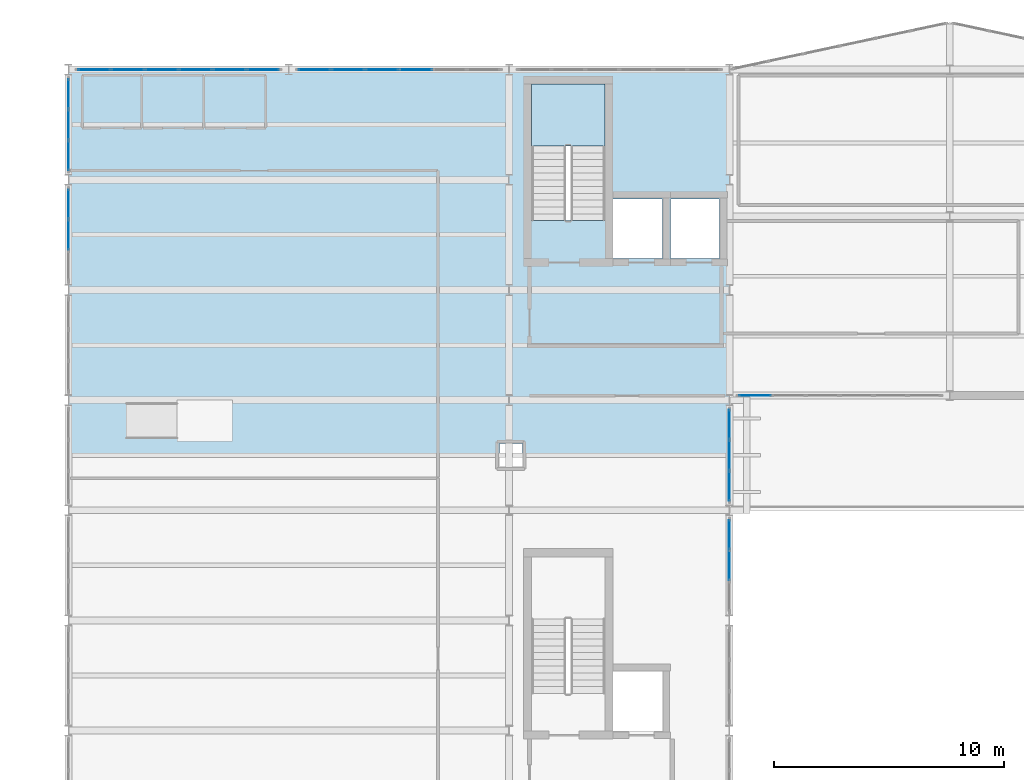
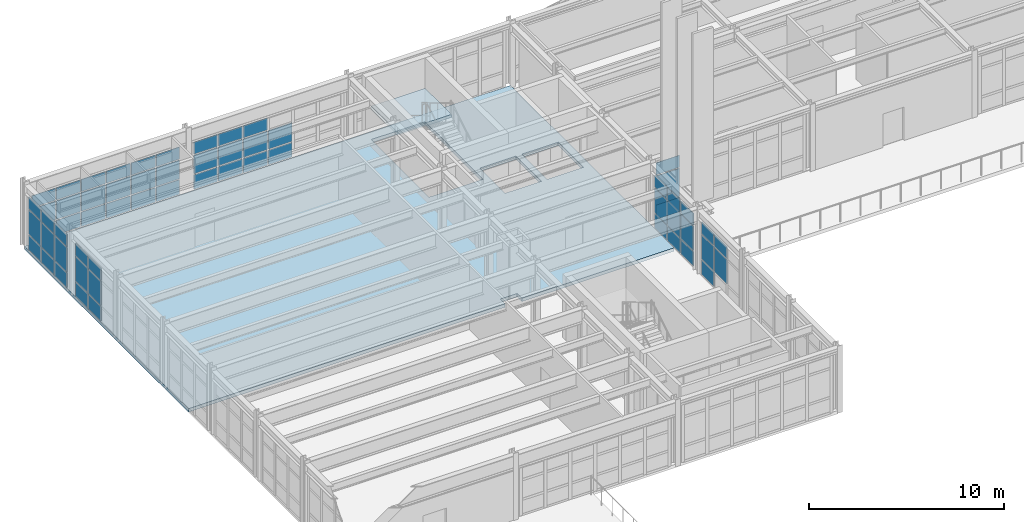
# One storey, part 33 of 47: 61 plates, 2 slabs, 8 elements without a shape of their own.
"""IFC4 building model written with IfcOpenShell, lengths in metres."""

from ifc_helpers import new_model, si_unit, direction, frame, origin, origin_2d, place, context, subcontext, project, spatial, polyline, rectangle, outline, extrude, material, layer, layer_set, type_object, element, aggregate, save


model = new_model("IFC4")

# Units and contexts
model_context = context("Model", 3, precision=1e-05, world=origin(), true_north=direction((0.0, 1.0)))
body_context = subcontext(model_context, "Body", "Model", "MODEL_VIEW")
ifc_project = project(units=[si_unit("LENGTHUNIT", "METRE"), si_unit("AREAUNIT", "SQUARE_METRE"), si_unit("VOLUMEUNIT", "CUBIC_METRE"), si_unit("PLANEANGLEUNIT", "RADIAN"), si_unit("MASSUNIT", "GRAM", prefix="KILO")], contexts=[model_context])

# Site, building, storey
site_placement = place(None, origin())
site = spatial("IfcSite", under=ifc_project, at=site_placement, CompositionType="ELEMENT")
building_placement = place(site_placement, origin())
building = spatial("IfcBuilding", under=site, at=building_placement, Name="Nordkorset Police Headquarters", CompositionType="ELEMENT")
storey_placement = place(building_placement, frame((0.0, 0.0, 22.050048828125)))
storey = spatial("IfcBuildingStorey", under=building, at=storey_placement, Name="L05", CompositionType="ELEMENT", Elevation=22.050048828125)

# Curtain wall, plates
ifc_material_1 = material(Name="Aluminium alloy AW-6060", Category="aluminium")
ifc_layer_1 = layer(ifc_material_1, 0.179931640625, Name="Aluminium alloy AW-6060")
ifc_layer_set_1 = layer_set([ifc_layer_1], Name="Aluminium alloy AW-6060")
curtain_wall_type_1 = type_object("IfcCurtainWallType", Name="CW_Unit_408x344", PredefinedType="USERDEFINED", material=ifc_layer_set_1)
curtain_wall_1_placement = place(storey_placement, origin())
curtain_wall_1 = element("IfcCurtainWall", 1, at=curtain_wall_1_placement, inside=storey, type_object=curtain_wall_type_1, Name="Unitised Curtain Wall L05 V1W-5", ObjectType="UNITISED CURTAIN WALL", PredefinedType="USERDEFINED")
ifc_material_2 = material(Name="Low-iron triple glazing", Category="glass")
ifc_layer_2 = layer(ifc_material_2, 0.035888671875, Name="Low-iron triple glazing")
ifc_layer_set_2 = layer_set([ifc_layer_2], Name="Low-iron triple glazing")
plate_type = type_object("IfcPlateType", Name="CW_Panel_TripleGlazing_36", PredefinedType="CURTAIN_PANEL", material=ifc_layer_set_2)
plate_1_placement = place(storey_placement, frame((0.0, 109.60009765625, 0.06494140625), z_axis=(0.0, 0.0, 1.0), x_axis=(0.0, 1.0, 0.0)))
plate_1 = element("IfcPlate", 2, at=plate_1_placement, type_object=plate_type, Name="CW-29 panel 2.1", PredefinedType="CURTAIN_PANEL", context=body_context, shape_type="SweptSolid", body=[
    extrude(rectangle(XDim=1.294921875, YDim=0.035888671875, at=origin_2d()), origin(), (0.0, 0.0, 1.0), 0.902587890625),
])
plate_2_placement = place(storey_placement, frame((0.0, 109.60009765625, 1.032470703125), z_axis=(0.0, 0.0, 1.0), x_axis=(0.0, 1.0, 0.0)))
plate_2 = element("IfcPlate", 3, at=plate_2_placement, type_object=plate_type, Name="CW-29 panel 2.2", PredefinedType="CURTAIN_PANEL", context=body_context, shape_type="SweptSolid", body=[
    extrude(rectangle(XDim=1.294921875, YDim=0.035888671875, at=origin_2d()), origin(), (0.0, 0.0, 1.0), 1.52490234375),
])
plate_3_placement = place(storey_placement, frame((0.0, 109.60009765625, 2.62255859375), z_axis=(0.0, 0.0, 1.0), x_axis=(0.0, 1.0, 0.0)))
plate_3 = element("IfcPlate", 4, at=plate_3_placement, type_object=plate_type, Name="CW-29 panel 2.3", PredefinedType="CURTAIN_PANEL", context=body_context, shape_type="SweptSolid", body=[
    extrude(rectangle(XDim=1.294921875, YDim=0.035888671875, at=origin_2d()), origin(), (0.0, 0.0, 1.0), 0.75244140625),
])
plate_4_placement = place(storey_placement, frame((0.0, 110.94384765625, 0.06494140625), z_axis=(0.0, 0.0, 1.0), x_axis=(0.0, 1.0, 0.0)))
plate_4 = element("IfcPlate", 5, at=plate_4_placement, type_object=plate_type, Name="CW-29 panel 3.1", PredefinedType="CURTAIN_PANEL", context=body_context, shape_type="SweptSolid", body=[
    extrude(rectangle(XDim=1.262451171875, YDim=0.035888671875, at=origin_2d()), origin(), (0.0, 0.0, 1.0), 0.902587890625),
])
plate_5_placement = place(storey_placement, frame((0.0, 110.94384765625, 1.032470703125), z_axis=(0.0, 0.0, 1.0), x_axis=(0.0, 1.0, 0.0)))
plate_5 = element("IfcPlate", 6, at=plate_5_placement, type_object=plate_type, Name="CW-29 panel 3.2", PredefinedType="CURTAIN_PANEL", context=body_context, shape_type="SweptSolid", body=[
    extrude(rectangle(XDim=1.262451171875, YDim=0.035888671875, at=origin_2d()), origin(), (0.0, 0.0, 1.0), 1.52490234375),
])
plate_6_placement = place(storey_placement, frame((0.0, 110.94384765625, 2.62255859375), z_axis=(0.0, 0.0, 1.0), x_axis=(0.0, 1.0, 0.0)))
plate_6 = element("IfcPlate", 7, at=plate_6_placement, type_object=plate_type, Name="CW-29 panel 3.3", PredefinedType="CURTAIN_PANEL", context=body_context, shape_type="SweptSolid", body=[
    extrude(rectangle(XDim=1.262451171875, YDim=0.035888671875, at=origin_2d()), origin(), (0.0, 0.0, 1.0), 0.75244140625),
])
aggregate(curtain_wall_1, [plate_1, plate_2, plate_3, plate_4, plate_5, plate_6])

curtain_wall_2_placement = place(storey_placement, origin())
curtain_wall_2 = element("IfcCurtainWall", 8, at=curtain_wall_2_placement, inside=storey, type_object=curtain_wall_type_1, Name="Unitised Curtain Wall L05 V1W-6", ObjectType="UNITISED CURTAIN WALL", PredefinedType="USERDEFINED")
plate_7_placement = place(storey_placement, frame((0.0, 113.05615234375, 0.06494140625), z_axis=(0.0, 0.0, 1.0), x_axis=(0.0, 1.0, 0.0)))
plate_7 = element("IfcPlate", 9, at=plate_7_placement, type_object=plate_type, Name="CW-29 panel 1.1", PredefinedType="CURTAIN_PANEL", context=body_context, shape_type="SweptSolid", body=[
    extrude(rectangle(XDim=1.262451171875, YDim=0.035888671875, at=origin_2d()), origin(), (0.0, 0.0, 1.0), 0.902587890625),
])
plate_8_placement = place(storey_placement, frame((0.0, 113.05615234375, 1.032470703125), z_axis=(0.0, 0.0, 1.0), x_axis=(0.0, 1.0, 0.0)))
plate_8 = element("IfcPlate", 10, at=plate_8_placement, type_object=plate_type, Name="CW-29 panel 1.2", PredefinedType="CURTAIN_PANEL", context=body_context, shape_type="SweptSolid", body=[
    extrude(rectangle(XDim=1.262451171875, YDim=0.035888671875, at=origin_2d()), origin(), (0.0, 0.0, 1.0), 1.52490234375),
])
plate_9_placement = place(storey_placement, frame((0.0, 113.05615234375, 2.62255859375), z_axis=(0.0, 0.0, 1.0), x_axis=(0.0, 1.0, 0.0)))
plate_9 = element("IfcPlate", 11, at=plate_9_placement, type_object=plate_type, Name="CW-29 panel 1.3", PredefinedType="CURTAIN_PANEL", context=body_context, shape_type="SweptSolid", body=[
    extrude(rectangle(XDim=1.262451171875, YDim=0.035888671875, at=origin_2d()), origin(), (0.0, 0.0, 1.0), 0.75244140625),
])
plate_10_placement = place(storey_placement, frame((0.0, 114.39990234375, 0.06494140625), z_axis=(0.0, 0.0, 1.0), x_axis=(0.0, 1.0, 0.0)))
plate_10 = element("IfcPlate", 12, at=plate_10_placement, type_object=plate_type, Name="CW-29 panel 2.1", PredefinedType="CURTAIN_PANEL", context=body_context, shape_type="SweptSolid", body=[
    extrude(rectangle(XDim=1.294921875, YDim=0.035888671875, at=origin_2d()), origin(), (0.0, 0.0, 1.0), 0.902587890625),
])
plate_11_placement = place(storey_placement, frame((0.0, 114.39990234375, 1.032470703125), z_axis=(0.0, 0.0, 1.0), x_axis=(0.0, 1.0, 0.0)))
plate_11 = element("IfcPlate", 13, at=plate_11_placement, type_object=plate_type, Name="CW-29 panel 2.2", PredefinedType="CURTAIN_PANEL", context=body_context, shape_type="SweptSolid", body=[
    extrude(rectangle(XDim=1.294921875, YDim=0.035888671875, at=origin_2d()), origin(), (0.0, 0.0, 1.0), 1.52490234375),
])
plate_12_placement = place(storey_placement, frame((0.0, 114.39990234375, 2.62255859375), z_axis=(0.0, 0.0, 1.0), x_axis=(0.0, 1.0, 0.0)))
plate_12 = element("IfcPlate", 14, at=plate_12_placement, type_object=plate_type, Name="CW-29 panel 2.3", PredefinedType="CURTAIN_PANEL", context=body_context, shape_type="SweptSolid", body=[
    extrude(rectangle(XDim=1.294921875, YDim=0.035888671875, at=origin_2d()), origin(), (0.0, 0.0, 1.0), 0.75244140625),
])
plate_13_placement = place(storey_placement, frame((0.0, 115.74365234375, 0.06494140625), z_axis=(0.0, 0.0, 1.0), x_axis=(0.0, 1.0, 0.0)))
plate_13 = element("IfcPlate", 15, at=plate_13_placement, type_object=plate_type, Name="CW-29 panel 3.1", PredefinedType="CURTAIN_PANEL", context=body_context, shape_type="SweptSolid", body=[
    extrude(rectangle(XDim=1.262451171875, YDim=0.035888671875, at=origin_2d()), origin(), (0.0, 0.0, 1.0), 0.902587890625),
])
plate_14_placement = place(storey_placement, frame((0.0, 115.74365234375, 1.032470703125), z_axis=(0.0, 0.0, 1.0), x_axis=(0.0, 1.0, 0.0)))
plate_14 = element("IfcPlate", 16, at=plate_14_placement, type_object=plate_type, Name="CW-29 panel 3.2", PredefinedType="CURTAIN_PANEL", context=body_context, shape_type="SweptSolid", body=[
    extrude(rectangle(XDim=1.262451171875, YDim=0.035888671875, at=origin_2d()), origin(), (0.0, 0.0, 1.0), 1.52490234375),
])
plate_15_placement = place(storey_placement, frame((0.0, 115.74365234375, 2.62255859375), z_axis=(0.0, 0.0, 1.0), x_axis=(0.0, 1.0, 0.0)))
plate_15 = element("IfcPlate", 17, at=plate_15_placement, type_object=plate_type, Name="CW-29 panel 3.3", PredefinedType="CURTAIN_PANEL", context=body_context, shape_type="SweptSolid", body=[
    extrude(rectangle(XDim=1.262451171875, YDim=0.035888671875, at=origin_2d()), origin(), (0.0, 0.0, 1.0), 0.75244140625),
])
aggregate(curtain_wall_2, [plate_7, plate_8, plate_9, plate_10, plate_11, plate_12, plate_13, plate_14, plate_15])

ifc_material_3 = material(Name="Aluminium alloy AW-6060", Category="aluminium")
ifc_layer_3 = layer(ifc_material_3, 0.179931640625, Name="Aluminium alloy AW-6060")
ifc_layer_set_3 = layer_set([ifc_layer_3], Name="Aluminium alloy AW-6060")
curtain_wall_type_2 = type_object("IfcCurtainWallType", Name="CW_Unit_888x308", PredefinedType="USERDEFINED", material=ifc_layer_set_3)
curtain_wall_3_placement = place(storey_placement, origin())
curtain_wall_3 = element("IfcCurtainWall", 18, at=curtain_wall_3_placement, inside=storey, type_object=curtain_wall_type_2, Name="Unitised Curtain Wall L05 V1N-0", ObjectType="UNITISED CURTAIN WALL", PredefinedType="USERDEFINED")
plate_16_placement = place(storey_placement, frame((1.1162109375, 116.800048828125, 0.06494140625), z_axis=(0.0, 0.0, 1.0), x_axis=(1.0, 0.0, 0.0)))
plate_16 = element("IfcPlate", 19, at=plate_16_placement, type_object=plate_type, Name="CW-81 panel 1.1", PredefinedType="CURTAIN_PANEL", context=body_context, shape_type="SweptSolid", body=[
    extrude(rectangle(XDim=1.382568359375, YDim=0.035888671875, at=origin_2d()), origin(), (0.0, 0.0, 1.0), 0.902587890625),
])
plate_17_placement = place(storey_placement, frame((1.1162109375, 116.800048828125, 1.032470703125), z_axis=(0.0, 0.0, 1.0), x_axis=(1.0, 0.0, 0.0)))
plate_17 = element("IfcPlate", 20, at=plate_17_placement, type_object=plate_type, Name="CW-81 panel 1.2", PredefinedType="CURTAIN_PANEL", context=body_context, shape_type="SweptSolid", body=[
    extrude(rectangle(XDim=1.382568359375, YDim=0.035888671875, at=origin_2d()), origin(), (0.0, 0.0, 1.0), 1.1650390625),
])
plate_18_placement = place(storey_placement, frame((1.1162109375, 116.800048828125, 2.262451171875), z_axis=(0.0, 0.0, 1.0), x_axis=(1.0, 0.0, 0.0)))
plate_18 = element("IfcPlate", 21, at=plate_18_placement, type_object=plate_type, Name="CW-81 panel 1.3", PredefinedType="CURTAIN_PANEL", context=body_context, shape_type="SweptSolid", body=[
    extrude(rectangle(XDim=1.382568359375, YDim=0.035888671875, at=origin_2d()), origin(), (0.0, 0.0, 1.0), 0.75244140625),
])
plate_19_placement = place(storey_placement, frame((2.580078125, 116.800048828125, 0.06494140625), z_axis=(0.0, 0.0, 1.0), x_axis=(1.0, 0.0, 0.0)))
plate_19 = element("IfcPlate", 22, at=plate_19_placement, type_object=plate_type, Name="CW-81 panel 2.1", PredefinedType="CURTAIN_PANEL", context=body_context, shape_type="SweptSolid", body=[
    extrude(rectangle(XDim=1.4150390625, YDim=0.035888671875, at=origin_2d()), origin(), (0.0, 0.0, 1.0), 0.902587890625),
])
plate_20_placement = place(storey_placement, frame((2.580078125, 116.800048828125, 1.032470703125), z_axis=(0.0, 0.0, 1.0), x_axis=(1.0, 0.0, 0.0)))
plate_20 = element("IfcPlate", 23, at=plate_20_placement, type_object=plate_type, Name="CW-81 panel 2.2", PredefinedType="CURTAIN_PANEL", context=body_context, shape_type="SweptSolid", body=[
    extrude(rectangle(XDim=1.4150390625, YDim=0.035888671875, at=origin_2d()), origin(), (0.0, 0.0, 1.0), 1.1650390625),
])
plate_21_placement = place(storey_placement, frame((2.580078125, 116.800048828125, 2.262451171875), z_axis=(0.0, 0.0, 1.0), x_axis=(1.0, 0.0, 0.0)))
plate_21 = element("IfcPlate", 24, at=plate_21_placement, type_object=plate_type, Name="CW-81 panel 2.3", PredefinedType="CURTAIN_PANEL", context=body_context, shape_type="SweptSolid", body=[
    extrude(rectangle(XDim=1.4150390625, YDim=0.035888671875, at=origin_2d()), origin(), (0.0, 0.0, 1.0), 0.75244140625),
])
plate_22_placement = place(storey_placement, frame((4.06005859375, 116.800048828125, 0.06494140625), z_axis=(0.0, 0.0, 1.0), x_axis=(1.0, 0.0, 0.0)))
plate_22 = element("IfcPlate", 25, at=plate_22_placement, type_object=plate_type, Name="CW-81 panel 3.1", PredefinedType="CURTAIN_PANEL", context=body_context, shape_type="SweptSolid", body=[
    extrude(rectangle(XDim=1.4150390625, YDim=0.035888671875, at=origin_2d()), origin(), (0.0, 0.0, 1.0), 0.902587890625),
])
plate_23_placement = place(storey_placement, frame((4.06005859375, 116.800048828125, 1.032470703125), z_axis=(0.0, 0.0, 1.0), x_axis=(1.0, 0.0, 0.0)))
plate_23 = element("IfcPlate", 26, at=plate_23_placement, type_object=plate_type, Name="CW-81 panel 3.2", PredefinedType="CURTAIN_PANEL", context=body_context, shape_type="SweptSolid", body=[
    extrude(rectangle(XDim=1.4150390625, YDim=0.035888671875, at=origin_2d()), origin(), (0.0, 0.0, 1.0), 1.1650390625),
])
plate_24_placement = place(storey_placement, frame((4.06005859375, 116.800048828125, 2.262451171875), z_axis=(0.0, 0.0, 1.0), x_axis=(1.0, 0.0, 0.0)))
plate_24 = element("IfcPlate", 27, at=plate_24_placement, type_object=plate_type, Name="CW-81 panel 3.3", PredefinedType="CURTAIN_PANEL", context=body_context, shape_type="SweptSolid", body=[
    extrude(rectangle(XDim=1.4150390625, YDim=0.035888671875, at=origin_2d()), origin(), (0.0, 0.0, 1.0), 0.75244140625),
])
plate_25_placement = place(storey_placement, frame((5.5400390625, 116.800048828125, 0.06494140625), z_axis=(0.0, 0.0, 1.0), x_axis=(1.0, 0.0, 0.0)))
plate_25 = element("IfcPlate", 28, at=plate_25_placement, type_object=plate_type, Name="CW-81 panel 4.1", PredefinedType="CURTAIN_PANEL", context=body_context, shape_type="SweptSolid", body=[
    extrude(rectangle(XDim=1.4150390625, YDim=0.035888671875, at=origin_2d()), origin(), (0.0, 0.0, 1.0), 0.902587890625),
])
plate_26_placement = place(storey_placement, frame((5.5400390625, 116.800048828125, 1.032470703125), z_axis=(0.0, 0.0, 1.0), x_axis=(1.0, 0.0, 0.0)))
plate_26 = element("IfcPlate", 29, at=plate_26_placement, type_object=plate_type, Name="CW-81 panel 4.2", PredefinedType="CURTAIN_PANEL", context=body_context, shape_type="SweptSolid", body=[
    extrude(rectangle(XDim=1.4150390625, YDim=0.035888671875, at=origin_2d()), origin(), (0.0, 0.0, 1.0), 1.1650390625),
])
plate_27_placement = place(storey_placement, frame((5.5400390625, 116.800048828125, 2.262451171875), z_axis=(0.0, 0.0, 1.0), x_axis=(1.0, 0.0, 0.0)))
plate_27 = element("IfcPlate", 30, at=plate_27_placement, type_object=plate_type, Name="CW-81 panel 4.3", PredefinedType="CURTAIN_PANEL", context=body_context, shape_type="SweptSolid", body=[
    extrude(rectangle(XDim=1.4150390625, YDim=0.035888671875, at=origin_2d()), origin(), (0.0, 0.0, 1.0), 0.75244140625),
])
plate_28_placement = place(storey_placement, frame((7.02001953125, 116.800048828125, 0.06494140625), z_axis=(0.0, 0.0, 1.0), x_axis=(1.0, 0.0, 0.0)))
plate_28 = element("IfcPlate", 31, at=plate_28_placement, type_object=plate_type, Name="CW-81 panel 5.1", PredefinedType="CURTAIN_PANEL", context=body_context, shape_type="SweptSolid", body=[
    extrude(rectangle(XDim=1.4150390625, YDim=0.035888671875, at=origin_2d()), origin(), (0.0, 0.0, 1.0), 0.902587890625),
])
plate_29_placement = place(storey_placement, frame((7.02001953125, 116.800048828125, 1.032470703125), z_axis=(0.0, 0.0, 1.0), x_axis=(1.0, 0.0, 0.0)))
plate_29 = element("IfcPlate", 32, at=plate_29_placement, type_object=plate_type, Name="CW-81 panel 5.2", PredefinedType="CURTAIN_PANEL", context=body_context, shape_type="SweptSolid", body=[
    extrude(rectangle(XDim=1.4150390625, YDim=0.035888671875, at=origin_2d()), origin(), (0.0, 0.0, 1.0), 1.1650390625),
])
plate_30_placement = place(storey_placement, frame((7.02001953125, 116.800048828125, 2.262451171875), z_axis=(0.0, 0.0, 1.0), x_axis=(1.0, 0.0, 0.0)))
plate_30 = element("IfcPlate", 33, at=plate_30_placement, type_object=plate_type, Name="CW-81 panel 5.3", PredefinedType="CURTAIN_PANEL", context=body_context, shape_type="SweptSolid", body=[
    extrude(rectangle(XDim=1.4150390625, YDim=0.035888671875, at=origin_2d()), origin(), (0.0, 0.0, 1.0), 0.75244140625),
])
plate_31_placement = place(storey_placement, frame((8.483642578125, 116.800048828125, 0.06494140625), z_axis=(0.0, 0.0, 1.0), x_axis=(1.0, 0.0, 0.0)))
plate_31 = element("IfcPlate", 34, at=plate_31_placement, type_object=plate_type, Name="CW-81 panel 6.1", PredefinedType="CURTAIN_PANEL", context=body_context, shape_type="SweptSolid", body=[
    extrude(rectangle(XDim=1.382568359375, YDim=0.035888671875, at=origin_2d()), origin(), (0.0, 0.0, 1.0), 0.902587890625),
])
plate_32_placement = place(storey_placement, frame((8.483642578125, 116.800048828125, 1.032470703125), z_axis=(0.0, 0.0, 1.0), x_axis=(1.0, 0.0, 0.0)))
plate_32 = element("IfcPlate", 35, at=plate_32_placement, type_object=plate_type, Name="CW-81 panel 6.2", PredefinedType="CURTAIN_PANEL", context=body_context, shape_type="SweptSolid", body=[
    extrude(rectangle(XDim=1.382568359375, YDim=0.035888671875, at=origin_2d()), origin(), (0.0, 0.0, 1.0), 1.1650390625),
])
plate_33_placement = place(storey_placement, frame((8.483642578125, 116.800048828125, 2.262451171875), z_axis=(0.0, 0.0, 1.0), x_axis=(1.0, 0.0, 0.0)))
plate_33 = element("IfcPlate", 36, at=plate_33_placement, type_object=plate_type, Name="CW-81 panel 6.3", PredefinedType="CURTAIN_PANEL", context=body_context, shape_type="SweptSolid", body=[
    extrude(rectangle(XDim=1.382568359375, YDim=0.035888671875, at=origin_2d()), origin(), (0.0, 0.0, 1.0), 0.75244140625),
])
aggregate(curtain_wall_3, [plate_16, plate_17, plate_18, plate_19, plate_20, plate_21, plate_22, plate_23, plate_24, plate_25, plate_26, plate_27, plate_28, plate_29, plate_30, plate_31, plate_32, plate_33])

curtain_wall_4_placement = place(storey_placement, origin())
curtain_wall_4 = element("IfcCurtainWall", 37, at=curtain_wall_4_placement, inside=storey, type_object=curtain_wall_type_2, Name="Unitised Curtain Wall L05 V1N-1", ObjectType="UNITISED CURTAIN WALL", PredefinedType="USERDEFINED")
plate_34_placement = place(storey_placement, frame((10.71630859375, 116.800048828125, 0.06494140625), z_axis=(0.0, 0.0, 1.0), x_axis=(1.0, 0.0, 0.0)))
plate_34 = element("IfcPlate", 38, at=plate_34_placement, type_object=plate_type, Name="CW-81 panel 1.1", PredefinedType="CURTAIN_PANEL", context=body_context, shape_type="SweptSolid", body=[
    extrude(rectangle(XDim=1.382568359375, YDim=0.035888671875, at=origin_2d()), origin(), (0.0, 0.0, 1.0), 0.902587890625),
])
plate_35_placement = place(storey_placement, frame((10.71630859375, 116.800048828125, 1.032470703125), z_axis=(0.0, 0.0, 1.0), x_axis=(1.0, 0.0, 0.0)))
plate_35 = element("IfcPlate", 39, at=plate_35_placement, type_object=plate_type, Name="CW-81 panel 1.2", PredefinedType="CURTAIN_PANEL", context=body_context, shape_type="SweptSolid", body=[
    extrude(rectangle(XDim=1.382568359375, YDim=0.035888671875, at=origin_2d()), origin(), (0.0, 0.0, 1.0), 1.1650390625),
])
plate_36_placement = place(storey_placement, frame((10.71630859375, 116.800048828125, 2.262451171875), z_axis=(0.0, 0.0, 1.0), x_axis=(1.0, 0.0, 0.0)))
plate_36 = element("IfcPlate", 40, at=plate_36_placement, type_object=plate_type, Name="CW-81 panel 1.3", PredefinedType="CURTAIN_PANEL", context=body_context, shape_type="SweptSolid", body=[
    extrude(rectangle(XDim=1.382568359375, YDim=0.035888671875, at=origin_2d()), origin(), (0.0, 0.0, 1.0), 0.75244140625),
])
plate_37_placement = place(storey_placement, frame((12.179931640625, 116.800048828125, 0.06494140625), z_axis=(0.0, 0.0, 1.0), x_axis=(1.0, 0.0, 0.0)))
plate_37 = element("IfcPlate", 41, at=plate_37_placement, type_object=plate_type, Name="CW-81 panel 2.1", PredefinedType="CURTAIN_PANEL", context=body_context, shape_type="SweptSolid", body=[
    extrude(rectangle(XDim=1.4150390625, YDim=0.035888671875, at=origin_2d()), origin(), (0.0, 0.0, 1.0), 0.902587890625),
])
plate_38_placement = place(storey_placement, frame((12.179931640625, 116.800048828125, 1.032470703125), z_axis=(0.0, 0.0, 1.0), x_axis=(1.0, 0.0, 0.0)))
plate_38 = element("IfcPlate", 42, at=plate_38_placement, type_object=plate_type, Name="CW-81 panel 2.2", PredefinedType="CURTAIN_PANEL", context=body_context, shape_type="SweptSolid", body=[
    extrude(rectangle(XDim=1.4150390625, YDim=0.035888671875, at=origin_2d()), origin(), (0.0, 0.0, 1.0), 1.1650390625),
])
plate_39_placement = place(storey_placement, frame((12.179931640625, 116.800048828125, 2.262451171875), z_axis=(0.0, 0.0, 1.0), x_axis=(1.0, 0.0, 0.0)))
plate_39 = element("IfcPlate", 43, at=plate_39_placement, type_object=plate_type, Name="CW-81 panel 2.3", PredefinedType="CURTAIN_PANEL", context=body_context, shape_type="SweptSolid", body=[
    extrude(rectangle(XDim=1.4150390625, YDim=0.035888671875, at=origin_2d()), origin(), (0.0, 0.0, 1.0), 0.75244140625),
])
plate_40_placement = place(storey_placement, frame((13.659912109375, 116.800048828125, 0.06494140625), z_axis=(0.0, 0.0, 1.0), x_axis=(1.0, 0.0, 0.0)))
plate_40 = element("IfcPlate", 44, at=plate_40_placement, type_object=plate_type, Name="CW-81 panel 3.1", PredefinedType="CURTAIN_PANEL", context=body_context, shape_type="SweptSolid", body=[
    extrude(rectangle(XDim=1.4150390625, YDim=0.035888671875, at=origin_2d()), origin(), (0.0, 0.0, 1.0), 0.902587890625),
])
plate_41_placement = place(storey_placement, frame((13.659912109375, 116.800048828125, 1.032470703125), z_axis=(0.0, 0.0, 1.0), x_axis=(1.0, 0.0, 0.0)))
plate_41 = element("IfcPlate", 45, at=plate_41_placement, type_object=plate_type, Name="CW-81 panel 3.2", PredefinedType="CURTAIN_PANEL", context=body_context, shape_type="SweptSolid", body=[
    extrude(rectangle(XDim=1.4150390625, YDim=0.035888671875, at=origin_2d()), origin(), (0.0, 0.0, 1.0), 1.1650390625),
])
plate_42_placement = place(storey_placement, frame((13.659912109375, 116.800048828125, 2.262451171875), z_axis=(0.0, 0.0, 1.0), x_axis=(1.0, 0.0, 0.0)))
plate_42 = element("IfcPlate", 46, at=plate_42_placement, type_object=plate_type, Name="CW-81 panel 3.3", PredefinedType="CURTAIN_PANEL", context=body_context, shape_type="SweptSolid", body=[
    extrude(rectangle(XDim=1.4150390625, YDim=0.035888671875, at=origin_2d()), origin(), (0.0, 0.0, 1.0), 0.75244140625),
])
plate_43_placement = place(storey_placement, frame((15.139892578125, 116.800048828125, 0.06494140625), z_axis=(0.0, 0.0, 1.0), x_axis=(1.0, 0.0, 0.0)))
plate_43 = element("IfcPlate", 47, at=plate_43_placement, type_object=plate_type, Name="CW-81 panel 4.1", PredefinedType="CURTAIN_PANEL", context=body_context, shape_type="SweptSolid", body=[
    extrude(rectangle(XDim=1.4150390625, YDim=0.035888671875, at=origin_2d()), origin(), (0.0, 0.0, 1.0), 0.902587890625),
])
plate_44_placement = place(storey_placement, frame((15.139892578125, 116.800048828125, 1.032470703125), z_axis=(0.0, 0.0, 1.0), x_axis=(1.0, 0.0, 0.0)))
plate_44 = element("IfcPlate", 48, at=plate_44_placement, type_object=plate_type, Name="CW-81 panel 4.2", PredefinedType="CURTAIN_PANEL", context=body_context, shape_type="SweptSolid", body=[
    extrude(rectangle(XDim=1.4150390625, YDim=0.035888671875, at=origin_2d()), origin(), (0.0, 0.0, 1.0), 1.1650390625),
])
aggregate(curtain_wall_4, [plate_34, plate_35, plate_36, plate_37, plate_38, plate_39, plate_40, plate_41, plate_42, plate_43, plate_44])

curtain_wall_5_placement = place(storey_placement, origin())
curtain_wall_5 = element("IfcCurtainWall", 49, at=curtain_wall_5_placement, inside=storey, type_object=curtain_wall_type_1, Name="Unitised Curtain Wall L05 V1E-2", ObjectType="UNITISED CURTAIN WALL", PredefinedType="USERDEFINED")
plate_45_placement = place(storey_placement, frame((28.800048828125, 95.199951171875, 1.032470703125), z_axis=(0.0, 0.0, 1.0), x_axis=(0.0, 1.0, 0.0)))
plate_45 = element("IfcPlate", 50, at=plate_45_placement, type_object=plate_type, Name="CW-29 panel 2.2", PredefinedType="CURTAIN_PANEL", context=body_context, shape_type="SweptSolid", body=[
    extrude(rectangle(XDim=1.294921875, YDim=0.035888671875, at=origin_2d()), origin(), (0.0, 0.0, 1.0), 1.52490234375),
])
plate_46_placement = place(storey_placement, frame((28.800048828125, 95.199951171875, 2.62255859375), z_axis=(0.0, 0.0, 1.0), x_axis=(0.0, 1.0, 0.0)))
plate_46 = element("IfcPlate", 51, at=plate_46_placement, type_object=plate_type, Name="CW-29 panel 2.3", PredefinedType="CURTAIN_PANEL", context=body_context, shape_type="SweptSolid", body=[
    extrude(rectangle(XDim=1.294921875, YDim=0.035888671875, at=origin_2d()), origin(), (0.0, 0.0, 1.0), 0.75244140625),
])
plate_47_placement = place(storey_placement, frame((28.800048828125, 96.543701171875, 0.06494140625), z_axis=(0.0, 0.0, 1.0), x_axis=(0.0, 1.0, 0.0)))
plate_47 = element("IfcPlate", 52, at=plate_47_placement, type_object=plate_type, Name="CW-29 panel 3.1", PredefinedType="CURTAIN_PANEL", context=body_context, shape_type="SweptSolid", body=[
    extrude(rectangle(XDim=1.262451171875, YDim=0.035888671875, at=origin_2d()), origin(), (0.0, 0.0, 1.0), 0.902587890625),
])
plate_48_placement = place(storey_placement, frame((28.800048828125, 96.543701171875, 1.032470703125), z_axis=(0.0, 0.0, 1.0), x_axis=(0.0, 1.0, 0.0)))
plate_48 = element("IfcPlate", 53, at=plate_48_placement, type_object=plate_type, Name="CW-29 panel 3.2", PredefinedType="CURTAIN_PANEL", context=body_context, shape_type="SweptSolid", body=[
    extrude(rectangle(XDim=1.262451171875, YDim=0.035888671875, at=origin_2d()), origin(), (0.0, 0.0, 1.0), 1.52490234375),
])
plate_49_placement = place(storey_placement, frame((28.800048828125, 96.543701171875, 2.62255859375), z_axis=(0.0, 0.0, 1.0), x_axis=(0.0, 1.0, 0.0)))
plate_49 = element("IfcPlate", 54, at=plate_49_placement, type_object=plate_type, Name="CW-29 panel 3.3", PredefinedType="CURTAIN_PANEL", context=body_context, shape_type="SweptSolid", body=[
    extrude(rectangle(XDim=1.262451171875, YDim=0.035888671875, at=origin_2d()), origin(), (0.0, 0.0, 1.0), 0.75244140625),
])
aggregate(curtain_wall_5, [plate_45, plate_46, plate_47, plate_48, plate_49])

curtain_wall_6_placement = place(storey_placement, origin())
curtain_wall_6 = element("IfcCurtainWall", 55, at=curtain_wall_6_placement, inside=storey, type_object=curtain_wall_type_1, Name="Unitised Curtain Wall L05 V1E-3", ObjectType="UNITISED CURTAIN WALL", PredefinedType="USERDEFINED")
plate_50_placement = place(storey_placement, frame((28.800048828125, 98.65625, 0.06494140625), z_axis=(0.0, 0.0, 1.0), x_axis=(0.0, 1.0, 0.0)))
plate_50 = element("IfcPlate", 56, at=plate_50_placement, type_object=plate_type, Name="CW-29 panel 1.1", PredefinedType="CURTAIN_PANEL", context=body_context, shape_type="SweptSolid", body=[
    extrude(rectangle(XDim=1.262451171875, YDim=0.035888671875, at=origin_2d()), origin(), (0.0, 0.0, 1.0), 0.902587890625),
])
plate_51_placement = place(storey_placement, frame((28.800048828125, 98.65625, 1.032470703125), z_axis=(0.0, 0.0, 1.0), x_axis=(0.0, 1.0, 0.0)))
plate_51 = element("IfcPlate", 57, at=plate_51_placement, type_object=plate_type, Name="CW-29 panel 1.2", PredefinedType="CURTAIN_PANEL", context=body_context, shape_type="SweptSolid", body=[
    extrude(rectangle(XDim=1.262451171875, YDim=0.035888671875, at=origin_2d()), origin(), (0.0, 0.0, 1.0), 1.52490234375),
])
plate_52_placement = place(storey_placement, frame((28.800048828125, 98.65625, 2.62255859375), z_axis=(0.0, 0.0, 1.0), x_axis=(0.0, 1.0, 0.0)))
plate_52 = element("IfcPlate", 58, at=plate_52_placement, type_object=plate_type, Name="CW-29 panel 1.3", PredefinedType="CURTAIN_PANEL", context=body_context, shape_type="SweptSolid", body=[
    extrude(rectangle(XDim=1.262451171875, YDim=0.035888671875, at=origin_2d()), origin(), (0.0, 0.0, 1.0), 0.75244140625),
])
plate_53_placement = place(storey_placement, frame((28.800048828125, 100.0, 0.06494140625), z_axis=(0.0, 0.0, 1.0), x_axis=(0.0, 1.0, 0.0)))
plate_53 = element("IfcPlate", 59, at=plate_53_placement, type_object=plate_type, Name="CW-29 panel 2.1", PredefinedType="CURTAIN_PANEL", context=body_context, shape_type="SweptSolid", body=[
    extrude(rectangle(XDim=1.294921875, YDim=0.035888671875, at=origin_2d()), origin(), (0.0, 0.0, 1.0), 0.902587890625),
])
plate_54_placement = place(storey_placement, frame((28.800048828125, 100.0, 1.032470703125), z_axis=(0.0, 0.0, 1.0), x_axis=(0.0, 1.0, 0.0)))
plate_54 = element("IfcPlate", 60, at=plate_54_placement, type_object=plate_type, Name="CW-29 panel 2.2", PredefinedType="CURTAIN_PANEL", context=body_context, shape_type="SweptSolid", body=[
    extrude(rectangle(XDim=1.294921875, YDim=0.035888671875, at=origin_2d()), origin(), (0.0, 0.0, 1.0), 1.52490234375),
])
plate_55_placement = place(storey_placement, frame((28.800048828125, 100.0, 2.62255859375), z_axis=(0.0, 0.0, 1.0), x_axis=(0.0, 1.0, 0.0)))
plate_55 = element("IfcPlate", 61, at=plate_55_placement, type_object=plate_type, Name="CW-29 panel 2.3", PredefinedType="CURTAIN_PANEL", context=body_context, shape_type="SweptSolid", body=[
    extrude(rectangle(XDim=1.294921875, YDim=0.035888671875, at=origin_2d()), origin(), (0.0, 0.0, 1.0), 0.75244140625),
])
plate_56_placement = place(storey_placement, frame((28.800048828125, 101.34375, 0.06494140625), z_axis=(0.0, 0.0, 1.0), x_axis=(0.0, 1.0, 0.0)))
plate_56 = element("IfcPlate", 62, at=plate_56_placement, type_object=plate_type, Name="CW-29 panel 3.1", PredefinedType="CURTAIN_PANEL", context=body_context, shape_type="SweptSolid", body=[
    extrude(rectangle(XDim=1.262451171875, YDim=0.035888671875, at=origin_2d()), origin(), (0.0, 0.0, 1.0), 0.902587890625),
])
plate_57_placement = place(storey_placement, frame((28.800048828125, 101.34375, 1.032470703125), z_axis=(0.0, 0.0, 1.0), x_axis=(0.0, 1.0, 0.0)))
plate_57 = element("IfcPlate", 63, at=plate_57_placement, type_object=plate_type, Name="CW-29 panel 3.2", PredefinedType="CURTAIN_PANEL", context=body_context, shape_type="SweptSolid", body=[
    extrude(rectangle(XDim=1.262451171875, YDim=0.035888671875, at=origin_2d()), origin(), (0.0, 0.0, 1.0), 1.52490234375),
])
plate_58_placement = place(storey_placement, frame((28.800048828125, 101.34375, 2.62255859375), z_axis=(0.0, 0.0, 1.0), x_axis=(0.0, 1.0, 0.0)))
plate_58 = element("IfcPlate", 64, at=plate_58_placement, type_object=plate_type, Name="CW-29 panel 3.3", PredefinedType="CURTAIN_PANEL", context=body_context, shape_type="SweptSolid", body=[
    extrude(rectangle(XDim=1.262451171875, YDim=0.035888671875, at=origin_2d()), origin(), (0.0, 0.0, 1.0), 0.75244140625),
])
aggregate(curtain_wall_6, [plate_50, plate_51, plate_52, plate_53, plate_54, plate_55, plate_56, plate_57, plate_58])

ifc_material_4 = material(Name="Aluminium alloy AW-6060", Category="aluminium")
ifc_layer_4 = layer(ifc_material_4, 0.179931640625, Name="Aluminium alloy AW-6060")
ifc_layer_set_4 = layer_set([ifc_layer_4], Name="Aluminium alloy AW-6060")
curtain_wall_type_3 = type_object("IfcCurtainWallType", Name="CW_Unit_888x367", PredefinedType="USERDEFINED", material=ifc_layer_set_4)
curtain_wall_7_placement = place(storey_placement, origin())
curtain_wall_7 = element("IfcCurtainWall", 65, at=curtain_wall_7_placement, inside=storey, type_object=curtain_wall_type_3, Name="Unitised Curtain Wall L05 V2S-0", ObjectType="UNITISED CURTAIN WALL", PredefinedType="USERDEFINED")
plate_59_placement = place(storey_placement, frame((29.916259765625, 102.60009765625, 0.06494140625), z_axis=(0.0, 0.0, 1.0), x_axis=(1.0, 0.0, 0.0)))
plate_59 = element("IfcPlate", 66, at=plate_59_placement, type_object=plate_type, Name="CW-91 panel 1.1", PredefinedType="CURTAIN_PANEL", context=body_context, shape_type="SweptSolid", body=[
    extrude(rectangle(XDim=1.382568359375, YDim=0.035888671875, at=origin_2d()), origin(), (0.0, 0.0, 1.0), 0.902587890625),
])
plate_60_placement = place(storey_placement, frame((29.916259765625, 102.60009765625, 1.032470703125), z_axis=(0.0, 0.0, 1.0), x_axis=(1.0, 0.0, 0.0)))
plate_60 = element("IfcPlate", 67, at=plate_60_placement, type_object=plate_type, Name="CW-91 panel 1.2", PredefinedType="CURTAIN_PANEL", context=body_context, shape_type="SweptSolid", body=[
    extrude(rectangle(XDim=1.382568359375, YDim=0.035888671875, at=origin_2d()), origin(), (0.0, 0.0, 1.0), 1.7548828125),
])
plate_61_placement = place(storey_placement, frame((29.916259765625, 102.60009765625, 2.8525390625), z_axis=(0.0, 0.0, 1.0), x_axis=(1.0, 0.0, 0.0)))
plate_61 = element("IfcPlate", 68, at=plate_61_placement, type_object=plate_type, Name="CW-91 panel 1.3", PredefinedType="CURTAIN_PANEL", context=body_context, shape_type="SweptSolid", body=[
    extrude(rectangle(XDim=1.382568359375, YDim=0.035888671875, at=origin_2d()), origin(), (0.0, 0.0, 1.0), 0.75244140625),
])
aggregate(curtain_wall_7, [plate_59, plate_60, plate_61])

# Slab
ifc_material_5 = material(Name="Concrete C35/45", Category="concrete")
ifc_layer_5 = layer(ifc_material_5, 0.2099609375, Name="Concrete C35/45")
ifc_layer_set_5 = layer_set([ifc_layer_5], Name="Concrete C35/45")
slab_type_1 = type_object("IfcSlabType", Name="Slab_Office_210", PredefinedType="FLOOR", material=ifc_layer_set_5)
slab_1_placement = place(storey_placement, frame((0.0, 0.0, -0.2099609375)))
element("IfcSlab", 69, at=slab_1_placement, inside=storey, type_object=slab_type_1, Name="Composite Floor Slab V1 North L05", PredefinedType="FLOOR", context=body_context, shape_type="SweptSolid", body=[
    extrude(outline(polyline([(28.800048828125, 100.0048828125), (19.780029296875, 100.0048828125), (19.780029296875, 100.5), (18.780029296875, 100.5), (18.780029296875, 100.0048828125), (0.0, 100.0048828125), (0.0, 116.800048828125), (28.800048828125, 116.800048828125), (28.800048828125, 100.0048828125)]), holes=[polyline([(20.175048828125, 110.22802734375), (23.375, 110.22802734375), (23.375, 116.175048828125), (20.175048828125, 116.175048828125), (20.175048828125, 110.22802734375)]), polyline([(23.72509765625, 111.175048828125), (23.72509765625, 108.574951171875), (25.875, 108.574951171875), (25.875, 111.175048828125), (23.72509765625, 111.175048828125)]), polyline([(28.375, 111.175048828125), (26.22509765625, 111.175048828125), (26.22509765625, 108.574951171875), (28.375, 108.574951171875), (28.375, 111.175048828125)])]), origin(), (0.0, 0.0, 1.0), 0.2099609375),
])

# Stair, slab
ifc_material_6 = material(Name="Concrete C35/45", Category="concrete")
stair_type = type_object("IfcStairType", Name="ST-42", PredefinedType="HALF_TURN_STAIR", material=ifc_material_6)
stair_placement = place(storey_placement, origin())
stair = element("IfcStair", 70, at=stair_placement, inside=storey, type_object=stair_type, Name="L05 Protected Escape Stair ST-01", PredefinedType="HALF_TURN_STAIR")
ifc_material_7 = material(Name="Concrete C35/45", Category="concrete")
ifc_layer_6 = layer(ifc_material_7, 0.199951171875, Name="Concrete C35/45")
ifc_layer_set_6 = layer_set([ifc_layer_6], Name="Concrete C35/45")
slab_type_2 = type_object("IfcSlabType", Name="Slab_StairLanding_200", PredefinedType="LANDING", material=ifc_layer_set_6)
slab_2_placement = place(storey_placement, frame((0.0, 0.0, 1.89990234375)))
slab_2 = element("IfcSlab", 71, at=slab_2_placement, type_object=slab_type_2, Name="ST-01 landing 1", PredefinedType="LANDING", context=body_context, shape_type="SweptSolid", body=[
    extrude(outline(polyline([(23.375, 113.469970703125), (23.375, 116.175048828125), (20.175048828125, 116.175048828125), (20.175048828125, 113.469970703125), (23.375, 113.469970703125)])), origin(), (0.0, 0.0, 1.0), 0.199951171875),
])
aggregate(stair, [slab_2])

save(model, "model.ifc")
